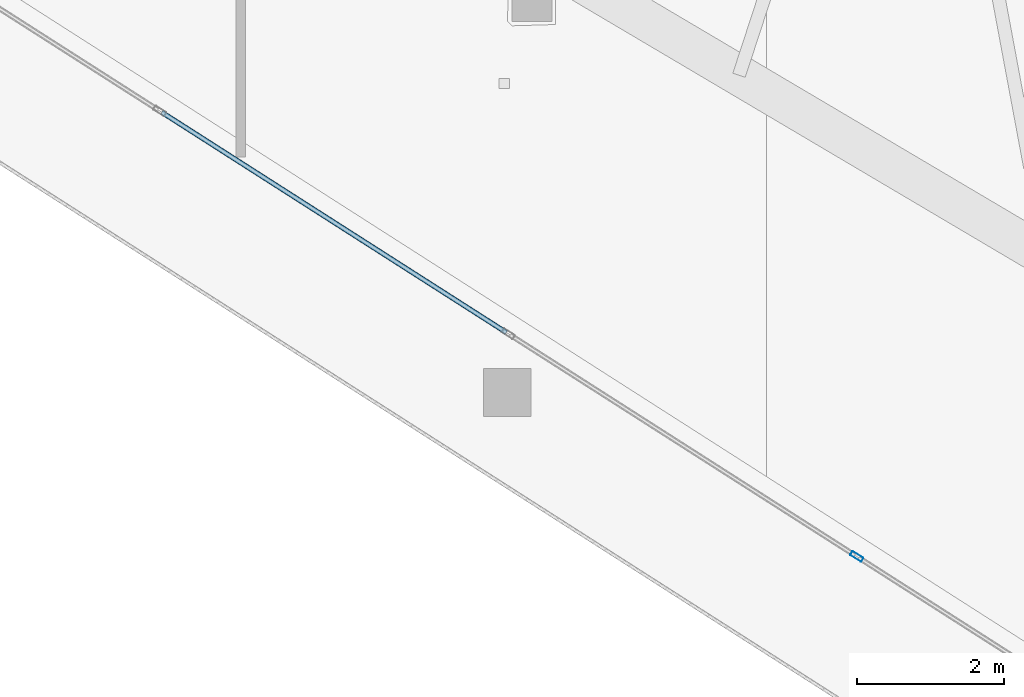
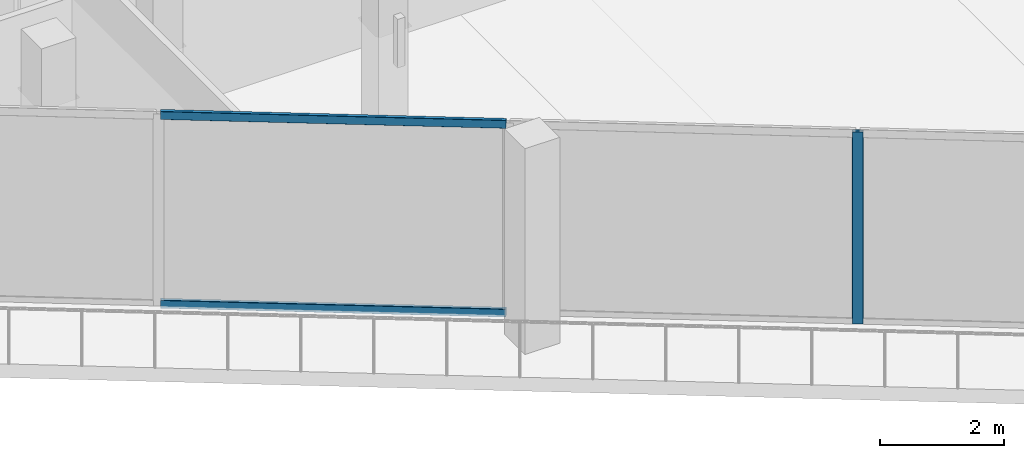
# One storey, part 2 of 36: 3 members, 1 element without a shape of its own.
"""IFC4 building model written with IfcOpenShell, lengths in metres."""

from ifc_helpers import new_model, si_unit, direction, frame, origin, origin_2d, place, context, subcontext, project, spatial, hollow_rectangle, extrude, material, layer, layer_set, material_profile, profile_set, type_object, element, aggregate, save


model = new_model("IFC4")

# Units and contexts
model_context = context("Model", 3, precision=1e-05, world=origin(), true_north=direction((0.0, 1.0)))
body_context = subcontext(model_context, "Body", "Model", "MODEL_VIEW")
ifc_project = project(units=[si_unit("LENGTHUNIT", "METRE"), si_unit("AREAUNIT", "SQUARE_METRE"), si_unit("VOLUMEUNIT", "CUBIC_METRE"), si_unit("PLANEANGLEUNIT", "RADIAN"), si_unit("MASSUNIT", "GRAM", prefix="KILO")], contexts=[model_context])

# Site, building, storey
site_placement = place(None, origin())
site = spatial("IfcSite", under=ifc_project, at=site_placement, CompositionType="ELEMENT")
building_placement = place(site_placement, origin())
building = spatial("IfcBuilding", under=site, at=building_placement, Name="Qorvath Tower", CompositionType="ELEMENT")
storey_placement = place(building_placement, frame((0.0, 0.0, 192.89990234375)))
storey = spatial("IfcBuildingStorey", under=building, at=storey_placement, Name="L44", CompositionType="ELEMENT", Elevation=192.89990234375)

# Curtain wall, members
ifc_material_1 = material(Name="Anodised aluminium and triple low-E glass", Category="aluminium")
ifc_layer = layer(ifc_material_1, 0.179931640625)
ifc_layer_set = layer_set([ifc_layer], Name="CW-SYS-3")
curtain_wall_type = type_object("IfcCurtainWallType", Name="CW-SYS-3", PredefinedType="NOTDEFINED", material=ifc_layer_set)
curtain_wall_placement = place(storey_placement, origin())
curtain_wall = element("IfcCurtainWall", 1, at=curtain_wall_placement, inside=storey, type_object=curtain_wall_type, Name="Curtain Wall CW-3 CW-T-L44-2.1", PredefinedType="NOTDEFINED")
ifc_material_2 = material(Name="Anodised aluminium 6063-T6", Category="aluminium")
ifc_material_profile_1 = material_profile(ifc_material_2, hollow_rectangle(XDim=0.06494140625, YDim=0.179931640625, WallThickness=0.00341796875, InnerFilletRadius=0.00341796875, OuterFilletRadius=0.007080078125, at=origin_2d()), Name="CWM 180x65")
ifc_profile_set_1 = profile_set([ifc_material_profile_1], Name="Anodised aluminium 6063-T6")
member_type_1 = type_object("IfcMemberType", Name="CWM-180", PredefinedType="MULLION", material=ifc_profile_set_1)
member_1_placement = place(storey_placement, frame((-26.247802734375, -21.696044921875, 0.0), z_axis=(0.0, 0.0, 1.0), x_axis=(0.538533623725, 0.842604020948, 0.0)))
member_1 = element("IfcMember", 2, at=member_1_placement, type_object=member_type_1, Name="CW-3 mullion 7", PredefinedType="MULLION", context=body_context, shape_type="SweptSolid", body=[
    extrude(hollow_rectangle(XDim=0.06494140625, YDim=0.179931640625, WallThickness=0.00341796875, InnerFilletRadius=0.00341796875, OuterFilletRadius=0.007080078125, at=origin_2d()), origin(), (0.0, 0.0, 1.0), 3.780029296875),
])
ifc_material_3 = material(Name="Anodised aluminium 6063-T6", Category="aluminium")
ifc_material_profile_2 = material_profile(ifc_material_3, hollow_rectangle(XDim=0.06494140625, YDim=0.159912109375, WallThickness=0.00341796875, InnerFilletRadius=0.00341796875, OuterFilletRadius=0.007080078125, at=origin_2d()), Name="CWT 160x65")
ifc_profile_set_2 = profile_set([ifc_material_profile_2], Name="Anodised aluminium 6063-T6")
member_type_2 = type_object("IfcMemberType", Name="CWT-160", PredefinedType="USERDEFINED", material=ifc_profile_set_2)
member_2_placement = place(storey_placement, frame((-35.725341796875, -15.638671875, 0.032470703125), z_axis=(0.842606844645, -0.538529205667, 0.0), x_axis=(0.538529205667, 0.842606844645, 0.0)))
member_2 = element("IfcMember", 3, at=member_2_placement, type_object=member_type_2, Name="CW-3 transom 5.1", ObjectType="TRANSOM", PredefinedType="USERDEFINED", context=body_context, shape_type="SweptSolid", body=[
    extrude(hollow_rectangle(XDim=0.06494140625, YDim=0.159912109375, WallThickness=0.00341796875, InnerFilletRadius=0.00341796875, OuterFilletRadius=0.007080078125, at=origin_2d()), origin(), (0.0, 0.0, 1.0), 5.5751953125),
])
member_3_placement = place(storey_placement, frame((-35.725341796875, -15.638671875, 3.74755859375), z_axis=(0.842606844645, -0.538529205667, 0.0), x_axis=(0.538529205667, 0.842606844645, 0.0)))
member_3 = element("IfcMember", 4, at=member_3_placement, type_object=member_type_2, Name="CW-3 transom 5.2", ObjectType="TRANSOM", PredefinedType="USERDEFINED", context=body_context, shape_type="SweptSolid", body=[
    extrude(hollow_rectangle(XDim=0.06494140625, YDim=0.159912109375, WallThickness=0.00341796875, InnerFilletRadius=0.00341796875, OuterFilletRadius=0.007080078125, at=origin_2d()), origin(), (0.0, 0.0, 1.0), 5.5751953125),
])
aggregate(curtain_wall, [member_1, member_2, member_3])

save(model, "model.ifc")
